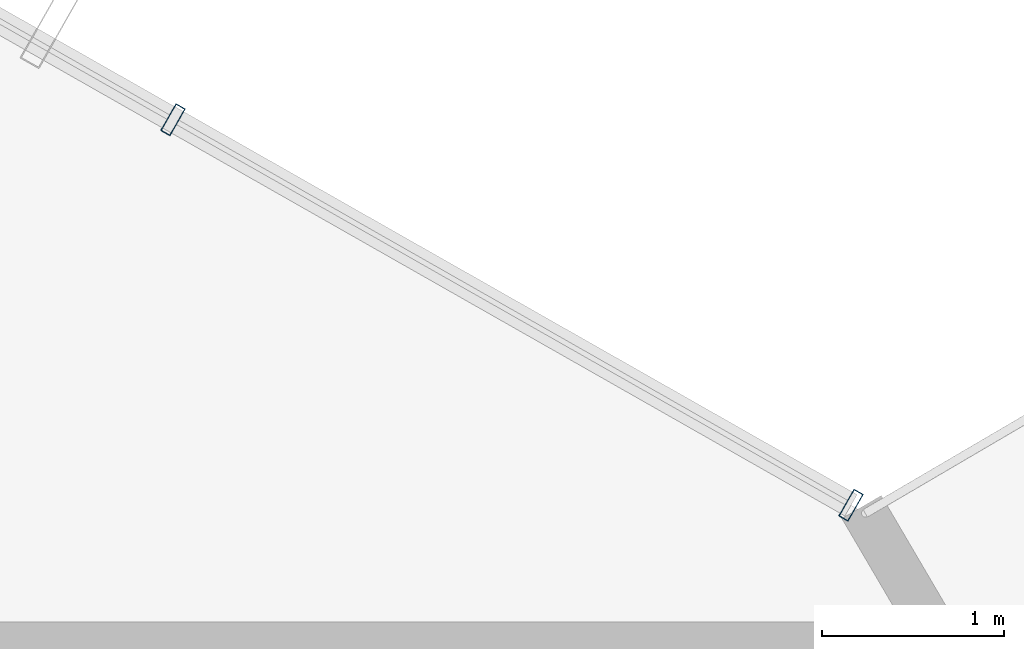
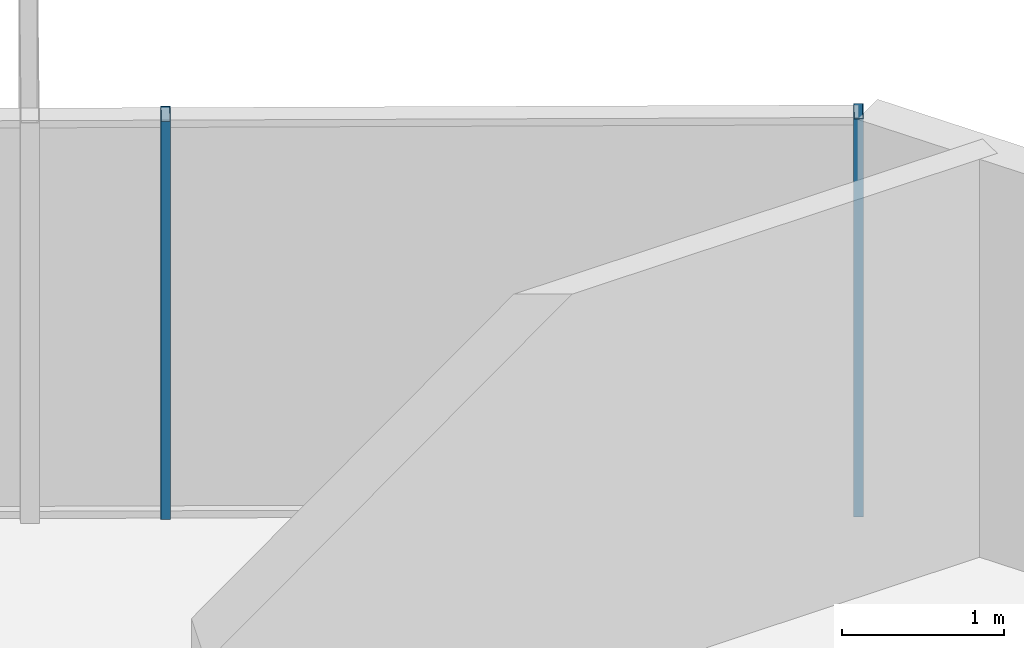
# One storey, part 24 of 30: 2 members, 1 element without a shape of its own.
"""IFC4 building model written with IfcOpenShell, lengths in metres."""

from ifc_helpers import new_model, si_unit, direction, frame, origin, origin_2d, place, context, subcontext, project, spatial, hollow_rectangle, extrude, source, transform, mapped, material, layer, layer_set, material_profile, profile_set, type_object, element, aggregate, save


model = new_model("IFC4")

# Units and contexts
model_context = context("Model", 3, precision=1e-05, world=origin(), true_north=direction((0.0, 1.0)))
body_context = subcontext(model_context, "Body", "Model", "MODEL_VIEW")
ifc_project = project(units=[si_unit("LENGTHUNIT", "METRE"), si_unit("AREAUNIT", "SQUARE_METRE"), si_unit("VOLUMEUNIT", "CUBIC_METRE"), si_unit("PLANEANGLEUNIT", "RADIAN"), si_unit("MASSUNIT", "GRAM", prefix="KILO")], contexts=[model_context])

# Site, building, storey
site_placement = place(None, origin())
site = spatial("IfcSite", under=ifc_project, at=site_placement, CompositionType="ELEMENT")
building_placement = place(site_placement, origin())
building = spatial("IfcBuilding", under=site, at=building_placement, Name="Veraguas Prism Commons", CompositionType="ELEMENT")
storey_placement = place(building_placement, frame((0.0, 0.0, 129.5)))
storey = spatial("IfcBuildingStorey", under=building, at=storey_placement, Name="L36", CompositionType="ELEMENT", Elevation=129.5)

# Curtain wall, members
ifc_material = material(Name="Anodised aluminium EN AW-6063 T6", Category="aluminium")
ifc_layer = layer(ifc_material, 0.169921875, Name="Unitised Flush Curtain Wall Zone 2", Category="aluminium")
ifc_layer_set = layer_set([ifc_layer], Name="Anodised aluminium EN AW-6063 T6")
curtain_wall_type = type_object("IfcCurtainWallType", Name="Unitised Flush Curtain Wall Zone 2", PredefinedType="NOTDEFINED", material=ifc_layer_set)
curtain_wall_placement = place(storey_placement, origin())
curtain_wall = element("IfcCurtainWall", 1, at=curtain_wall_placement, inside=storey, type_object=curtain_wall_type, Name="Tower Facade Curtain Wall L36-F1", PredefinedType="NOTDEFINED")
ifc_material_profile = material_profile(ifc_material, hollow_rectangle(XDim=0.06005859375, YDim=0.169921875, WallThickness=0.00390625, at=origin_2d()), Name="AL60X170X4")
ifc_profile_set = profile_set([ifc_material_profile], Name="Anodised aluminium EN AW-6063 T6")
member_type = type_object("IfcMemberType", Name="Curtain Wall Mullion Lower AL 60x170x4", PredefinedType="MULLION", material=ifc_profile_set)
shared_shape = source(origin(), body_context, "Body", "SweptSolid", [
    extrude(hollow_rectangle(XDim=0.06005859375, YDim=0.169921875, WallThickness=0.00390625, at=origin_2d()), origin(), (0.0, 0.0, 1.0), 3.0),
])
member_1_placement = place(storey_placement, frame((40.94580078125, 36.431640625, 0.0), z_axis=(0.0, 0.0, 1.0), x_axis=(-0.869323320918, 0.494243830218, 0.0)))
member_1 = element("IfcMember", 2, at=member_1_placement, type_object=member_type, Name="CW-Z2 Mullion 1", PredefinedType="MULLION", context=body_context, shape_type="MappedRepresentation", body=[
    mapped(shared_shape, transform((0.0, 0.0, 0.0), scale=1.0)),
])
member_2_placement = place(storey_placement, frame((37.226318359375, 38.54638671875, 0.0), z_axis=(0.0, 0.0, 1.0), x_axis=(-0.869323320918, 0.494243830218, 0.0)))
member_2 = element("IfcMember", 3, at=member_2_placement, type_object=member_type, Name="CW-Z2 Mullion 2", PredefinedType="MULLION", context=body_context, shape_type="MappedRepresentation", body=[
    mapped(shared_shape, transform((0.0, 0.0, 0.0), scale=1.0)),
])
aggregate(curtain_wall, [member_1, member_2])

save(model, "model.ifc")
